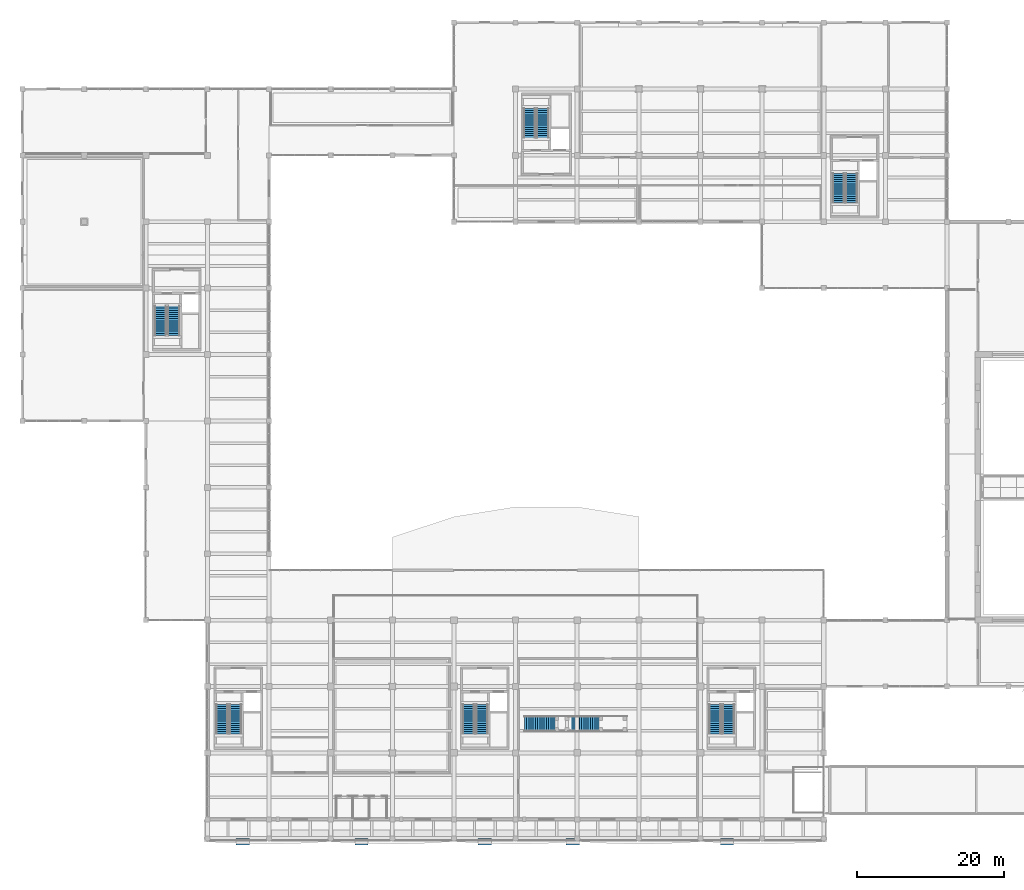
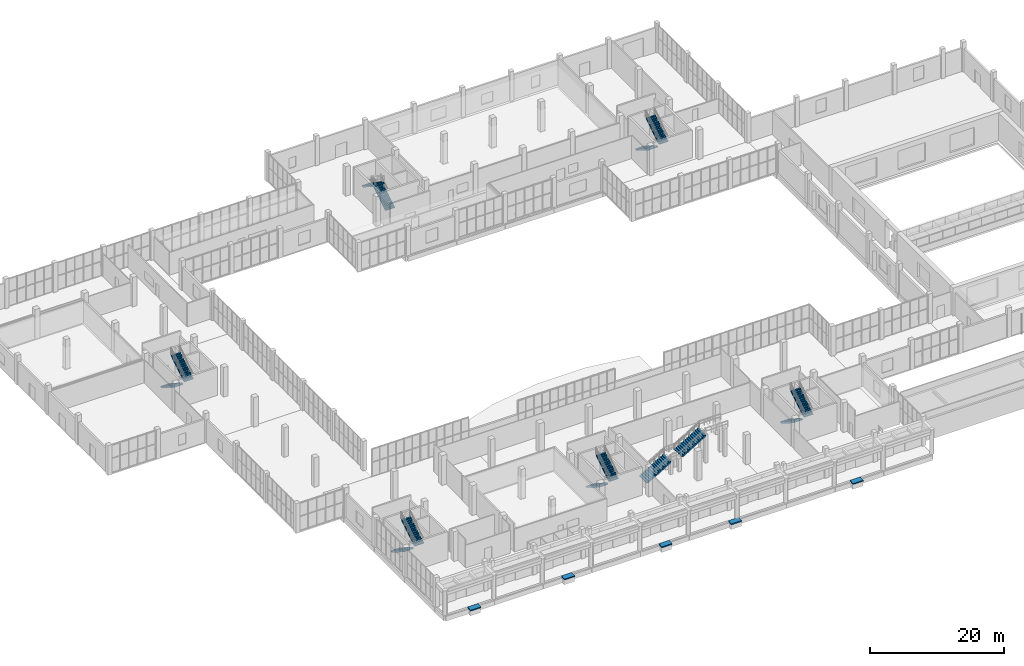
# One storey, part 85 of 91: 14 stair flights, 5 ramp flights, 12 elements without a shape of their own.
"""IFC4 building model written with IfcOpenShell, lengths in metres."""

from ifc_helpers import new_model, si_unit, direction, frame, origin, place, context, subcontext, project, spatial, polyline, outline, extrude, material, layer, layer_set, type_object, element, aggregate, save


model = new_model("IFC4")

# Units and contexts
model_context = context("Model", 3, precision=1e-05, world=origin(), true_north=direction((0.0, 1.0)))
body_context = subcontext(model_context, "Body", "Model", "MODEL_VIEW")
ifc_project = project(units=[si_unit("LENGTHUNIT", "METRE"), si_unit("AREAUNIT", "SQUARE_METRE"), si_unit("VOLUMEUNIT", "CUBIC_METRE"), si_unit("PLANEANGLEUNIT", "RADIAN"), si_unit("MASSUNIT", "GRAM", prefix="KILO")], contexts=[model_context])

# Site, building, storey
site_placement = place(None, origin())
site = spatial("IfcSite", under=ifc_project, at=site_placement, CompositionType="ELEMENT")
building_placement = place(site_placement, origin())
building = spatial("IfcBuilding", under=site, at=building_placement, Name="Khurvash Pelagic Aquarium", CompositionType="ELEMENT")
storey_placement = place(building_placement, origin())
storey = spatial("IfcBuildingStorey", under=building, at=storey_placement, Name="L00", CompositionType="ELEMENT", Elevation=0.0)

# Stair, stair flights
ifc_material = material(Name="Concrete C35/45", Category="concrete")
stair_type_1 = type_object("IfcStairType", Name="ST-01", PredefinedType="HALF_TURN_STAIR", material=ifc_material)
stair_1_placement = place(storey_placement, origin())
stair_1 = element("IfcStair", 1, at=stair_1_placement, inside=storey, type_object=stair_type_1, Name="L00 Protected Exit Stair ST-01", PredefinedType="HALF_TURN_STAIR")
stair_flight_type_1 = type_object("IfcStairFlightType", Name="SF-150", PredefinedType="STRAIGHT", material=ifc_material)
stair_flight_1_placement = place(storey_placement, frame((27.199951171875, 18.25, 0.0), z_axis=(0.0, 0.0, 1.0), x_axis=(0.0, -1.0, 0.0)))
stair_flight_1 = element("IfcStairFlight", 2, at=stair_flight_1_placement, type_object=stair_flight_type_1, Name="ST-01 flight 1", NumberOfRisers=15, NumberOfTreads=14, PredefinedType="STRAIGHT", RiserHeight=0.18, TreadLength=0.285, context=body_context, shape_type="SweptSolid", body=[
    extrude(outline(polyline([(0.0, 0.0), (0.0, 0.179931640625), (0.284912109375, 0.179931640625), (0.284912109375, 0.360107421875), (0.570068359375, 0.360107421875), (0.570068359375, 0.5400390625), (0.85498046875, 0.5400390625), (0.85498046875, 0.719970703125), (1.139892578125, 0.719970703125), (1.139892578125, 0.89990234375), (1.425048828125, 0.89990234375), (1.425048828125, 1.080078125), (1.7099609375, 1.080078125), (1.7099609375, 1.260009765625), (1.9951171875, 1.260009765625), (1.9951171875, 1.43994140625), (2.280029296875, 1.43994140625), (2.280029296875, 1.6201171875), (2.56494140625, 1.6201171875), (2.56494140625, 1.800048828125), (2.85009765625, 1.800048828125), (2.85009765625, 1.97998046875), (3.135009765625, 1.97998046875), (3.135009765625, 2.159912109375), (3.419921875, 2.159912109375), (3.419921875, 2.340087890625), (3.705078125, 2.340087890625), (3.705078125, 2.52001953125), (3.989990234375, 2.52001953125), (3.989990234375, 2.699951171875), (3.989990234375, 2.30712890625), (0.3369140625, 0.0), (0.0, 0.0)])), frame((0.0, 0.800048828125, 0.0), z_axis=(0.0, -1.0, 0.0), x_axis=(1.0, 0.0, 0.0)), (0.0, 0.0, 1.0), 1.60009765625),
])
stair_flight_2_placement = place(storey_placement, frame((29.0, 14.260009765625, 2.699951171875), z_axis=(0.0, 0.0, 1.0), x_axis=(0.0, 1.0, 0.0)))
stair_flight_2 = element("IfcStairFlight", 3, at=stair_flight_2_placement, type_object=stair_flight_type_1, Name="ST-01 flight 2", NumberOfRisers=15, NumberOfTreads=14, PredefinedType="STRAIGHT", RiserHeight=0.18, TreadLength=0.285, context=body_context, shape_type="SweptSolid", body=[
    extrude(outline(polyline([(0.0, 0.0), (0.0, 0.179931640625), (0.284912109375, 0.179931640625), (0.284912109375, 0.360107421875), (0.570068359375, 0.360107421875), (0.570068359375, 0.5400390625), (0.85498046875, 0.5400390625), (0.85498046875, 0.719970703125), (1.139892578125, 0.719970703125), (1.139892578125, 0.89990234375), (1.425048828125, 0.89990234375), (1.425048828125, 1.080078125), (1.7099609375, 1.080078125), (1.7099609375, 1.260009765625), (1.9951171875, 1.260009765625), (1.9951171875, 1.43994140625), (2.280029296875, 1.43994140625), (2.280029296875, 1.6201171875), (2.56494140625, 1.6201171875), (2.56494140625, 1.800048828125), (2.85009765625, 1.800048828125), (2.85009765625, 1.97998046875), (3.135009765625, 1.97998046875), (3.135009765625, 2.159912109375), (3.419921875, 2.159912109375), (3.419921875, 2.340087890625), (3.705078125, 2.340087890625), (3.705078125, 2.52001953125), (3.989990234375, 2.52001953125), (3.989990234375, 2.699951171875), (3.989990234375, 2.30712890625), (0.3369140625, 0.0), (0.0, 0.0)])), frame((0.0, 0.800048828125, 0.0), z_axis=(0.0, -1.0, 0.0), x_axis=(1.0, 0.0, 0.0)), (0.0, 0.0, 1.0), 1.60009765625),
])
aggregate(stair_1, [stair_flight_1, stair_flight_2])

stair_type_2 = type_object("IfcStairType", Name="ST-02", PredefinedType="HALF_TURN_STAIR", material=ifc_material)
stair_2_placement = place(storey_placement, origin())
stair_2 = element("IfcStair", 4, at=stair_2_placement, inside=storey, type_object=stair_type_2, Name="L00 Protected Exit Stair ST-02", PredefinedType="HALF_TURN_STAIR")
stair_flight_3_placement = place(storey_placement, frame((60.800048828125, 18.25, 0.0), z_axis=(0.0, 0.0, 1.0), x_axis=(0.0, -1.0, 0.0)))
stair_flight_3 = element("IfcStairFlight", 5, at=stair_flight_3_placement, type_object=stair_flight_type_1, Name="ST-02 flight 1", NumberOfRisers=15, NumberOfTreads=14, PredefinedType="STRAIGHT", RiserHeight=0.18, TreadLength=0.285, context=body_context, shape_type="SweptSolid", body=[
    extrude(outline(polyline([(0.0, 0.0), (0.0, 0.179931640625), (0.284912109375, 0.179931640625), (0.284912109375, 0.360107421875), (0.570068359375, 0.360107421875), (0.570068359375, 0.5400390625), (0.85498046875, 0.5400390625), (0.85498046875, 0.719970703125), (1.139892578125, 0.719970703125), (1.139892578125, 0.89990234375), (1.425048828125, 0.89990234375), (1.425048828125, 1.080078125), (1.7099609375, 1.080078125), (1.7099609375, 1.260009765625), (1.9951171875, 1.260009765625), (1.9951171875, 1.43994140625), (2.280029296875, 1.43994140625), (2.280029296875, 1.6201171875), (2.56494140625, 1.6201171875), (2.56494140625, 1.800048828125), (2.85009765625, 1.800048828125), (2.85009765625, 1.97998046875), (3.135009765625, 1.97998046875), (3.135009765625, 2.159912109375), (3.419921875, 2.159912109375), (3.419921875, 2.340087890625), (3.705078125, 2.340087890625), (3.705078125, 2.52001953125), (3.989990234375, 2.52001953125), (3.989990234375, 2.699951171875), (3.989990234375, 2.30712890625), (0.3369140625, 0.0), (0.0, 0.0)])), frame((0.0, 0.800048828125, 0.0), z_axis=(0.0, -1.0, 0.0), x_axis=(1.0, 0.0, 0.0)), (0.0, 0.0, 1.0), 1.60009765625),
])
stair_flight_4_placement = place(storey_placement, frame((62.60009765625, 14.260009765625, 2.699951171875), z_axis=(0.0, 0.0, 1.0), x_axis=(0.0, 1.0, 0.0)))
stair_flight_4 = element("IfcStairFlight", 6, at=stair_flight_4_placement, type_object=stair_flight_type_1, Name="ST-02 flight 2", NumberOfRisers=15, NumberOfTreads=14, PredefinedType="STRAIGHT", RiserHeight=0.18, TreadLength=0.285, context=body_context, shape_type="SweptSolid", body=[
    extrude(outline(polyline([(0.0, 0.0), (0.0, 0.179931640625), (0.284912109375, 0.179931640625), (0.284912109375, 0.360107421875), (0.570068359375, 0.360107421875), (0.570068359375, 0.5400390625), (0.85498046875, 0.5400390625), (0.85498046875, 0.719970703125), (1.139892578125, 0.719970703125), (1.139892578125, 0.89990234375), (1.425048828125, 0.89990234375), (1.425048828125, 1.080078125), (1.7099609375, 1.080078125), (1.7099609375, 1.260009765625), (1.9951171875, 1.260009765625), (1.9951171875, 1.43994140625), (2.280029296875, 1.43994140625), (2.280029296875, 1.6201171875), (2.56494140625, 1.6201171875), (2.56494140625, 1.800048828125), (2.85009765625, 1.800048828125), (2.85009765625, 1.97998046875), (3.135009765625, 1.97998046875), (3.135009765625, 2.159912109375), (3.419921875, 2.159912109375), (3.419921875, 2.340087890625), (3.705078125, 2.340087890625), (3.705078125, 2.52001953125), (3.989990234375, 2.52001953125), (3.989990234375, 2.699951171875), (3.989990234375, 2.30712890625), (0.3369140625, 0.0), (0.0, 0.0)])), frame((0.0, 0.800048828125, 0.0), z_axis=(0.0, -1.0, 0.0), x_axis=(1.0, 0.0, 0.0)), (0.0, 0.0, 1.0), 1.60009765625),
])
aggregate(stair_2, [stair_flight_3, stair_flight_4])

stair_type_3 = type_object("IfcStairType", Name="ST-03", PredefinedType="HALF_TURN_STAIR", material=ifc_material)
stair_3_placement = place(storey_placement, origin())
stair_3 = element("IfcStair", 7, at=stair_3_placement, inside=storey, type_object=stair_type_3, Name="L00 Protected Exit Stair ST-03", PredefinedType="HALF_TURN_STAIR")
stair_flight_5_placement = place(storey_placement, frame((94.39990234375, 18.25, 0.0), z_axis=(0.0, 0.0, 1.0), x_axis=(0.0, -1.0, 0.0)))
stair_flight_5 = element("IfcStairFlight", 8, at=stair_flight_5_placement, type_object=stair_flight_type_1, Name="ST-03 flight 1", NumberOfRisers=15, NumberOfTreads=14, PredefinedType="STRAIGHT", RiserHeight=0.18, TreadLength=0.285, context=body_context, shape_type="SweptSolid", body=[
    extrude(outline(polyline([(0.0, 0.0), (0.0, 0.179931640625), (0.284912109375, 0.179931640625), (0.284912109375, 0.360107421875), (0.570068359375, 0.360107421875), (0.570068359375, 0.5400390625), (0.85498046875, 0.5400390625), (0.85498046875, 0.719970703125), (1.139892578125, 0.719970703125), (1.139892578125, 0.89990234375), (1.425048828125, 0.89990234375), (1.425048828125, 1.080078125), (1.7099609375, 1.080078125), (1.7099609375, 1.260009765625), (1.9951171875, 1.260009765625), (1.9951171875, 1.43994140625), (2.280029296875, 1.43994140625), (2.280029296875, 1.6201171875), (2.56494140625, 1.6201171875), (2.56494140625, 1.800048828125), (2.85009765625, 1.800048828125), (2.85009765625, 1.97998046875), (3.135009765625, 1.97998046875), (3.135009765625, 2.159912109375), (3.419921875, 2.159912109375), (3.419921875, 2.340087890625), (3.705078125, 2.340087890625), (3.705078125, 2.52001953125), (3.989990234375, 2.52001953125), (3.989990234375, 2.699951171875), (3.989990234375, 2.30712890625), (0.3369140625, 0.0), (0.0, 0.0)])), frame((0.0, 0.800048828125, 0.0), z_axis=(0.0, -1.0, 0.0), x_axis=(1.0, 0.0, 0.0)), (0.0, 0.0, 1.0), 1.60009765625),
])
stair_flight_6_placement = place(storey_placement, frame((96.199951171875, 14.260009765625, 2.699951171875), z_axis=(0.0, 0.0, 1.0), x_axis=(0.0, 1.0, 0.0)))
stair_flight_6 = element("IfcStairFlight", 9, at=stair_flight_6_placement, type_object=stair_flight_type_1, Name="ST-03 flight 2", NumberOfRisers=15, NumberOfTreads=14, PredefinedType="STRAIGHT", RiserHeight=0.18, TreadLength=0.285, context=body_context, shape_type="SweptSolid", body=[
    extrude(outline(polyline([(0.0, 0.0), (0.0, 0.179931640625), (0.284912109375, 0.179931640625), (0.284912109375, 0.360107421875), (0.570068359375, 0.360107421875), (0.570068359375, 0.5400390625), (0.85498046875, 0.5400390625), (0.85498046875, 0.719970703125), (1.139892578125, 0.719970703125), (1.139892578125, 0.89990234375), (1.425048828125, 0.89990234375), (1.425048828125, 1.080078125), (1.7099609375, 1.080078125), (1.7099609375, 1.260009765625), (1.9951171875, 1.260009765625), (1.9951171875, 1.43994140625), (2.280029296875, 1.43994140625), (2.280029296875, 1.6201171875), (2.56494140625, 1.6201171875), (2.56494140625, 1.800048828125), (2.85009765625, 1.800048828125), (2.85009765625, 1.97998046875), (3.135009765625, 1.97998046875), (3.135009765625, 2.159912109375), (3.419921875, 2.159912109375), (3.419921875, 2.340087890625), (3.705078125, 2.340087890625), (3.705078125, 2.52001953125), (3.989990234375, 2.52001953125), (3.989990234375, 2.699951171875), (3.989990234375, 2.30712890625), (0.3369140625, 0.0), (0.0, 0.0)])), frame((0.0, 0.800048828125, 0.0), z_axis=(0.0, -1.0, 0.0), x_axis=(1.0, 0.0, 0.0)), (0.0, 0.0, 1.0), 1.60009765625),
])
aggregate(stair_3, [stair_flight_5, stair_flight_6])

stair_type_4 = type_object("IfcStairType", Name="ST-04", PredefinedType="HALF_TURN_STAIR", material=ifc_material)
stair_4_placement = place(storey_placement, origin())
stair_4 = element("IfcStair", 10, at=stair_4_placement, inside=storey, type_object=stair_type_4, Name="L00 Protected Exit Stair ST-04", PredefinedType="HALF_TURN_STAIR")
stair_flight_7_placement = place(storey_placement, frame((70.89990234375, 95.5, 0.0), z_axis=(0.0, 0.0, 1.0), x_axis=(0.0, 1.0, 0.0)))
stair_flight_7 = element("IfcStairFlight", 11, at=stair_flight_7_placement, type_object=stair_flight_type_1, Name="ST-04 flight 1", NumberOfRisers=15, NumberOfTreads=14, PredefinedType="STRAIGHT", RiserHeight=0.18, TreadLength=0.285, context=body_context, shape_type="SweptSolid", body=[
    extrude(outline(polyline([(0.0, 0.0), (0.0, 0.179931640625), (0.284912109375, 0.179931640625), (0.284912109375, 0.360107421875), (0.570068359375, 0.360107421875), (0.570068359375, 0.5400390625), (0.85498046875, 0.5400390625), (0.85498046875, 0.719970703125), (1.139892578125, 0.719970703125), (1.139892578125, 0.89990234375), (1.425048828125, 0.89990234375), (1.425048828125, 1.080078125), (1.7099609375, 1.080078125), (1.7099609375, 1.260009765625), (1.9951171875, 1.260009765625), (1.9951171875, 1.43994140625), (2.280029296875, 1.43994140625), (2.280029296875, 1.6201171875), (2.56494140625, 1.6201171875), (2.56494140625, 1.800048828125), (2.85009765625, 1.800048828125), (2.85009765625, 1.97998046875), (3.135009765625, 1.97998046875), (3.135009765625, 2.159912109375), (3.419921875, 2.159912109375), (3.419921875, 2.340087890625), (3.705078125, 2.340087890625), (3.705078125, 2.52001953125), (3.989990234375, 2.52001953125), (3.989990234375, 2.699951171875), (3.989990234375, 2.30712890625), (0.3369140625, 0.0), (0.0, 0.0)])), frame((0.0, 0.800048828125, 0.0), z_axis=(0.0, -1.0, 0.0), x_axis=(1.0, 0.0, 0.0)), (0.0, 0.0, 1.0), 1.60009765625),
])
stair_flight_8_placement = place(storey_placement, frame((69.10009765625, 99.489990234375, 2.699951171875), z_axis=(0.0, 0.0, 1.0), x_axis=(0.0, -1.0, 0.0)))
stair_flight_8 = element("IfcStairFlight", 12, at=stair_flight_8_placement, type_object=stair_flight_type_1, Name="ST-04 flight 2", NumberOfRisers=15, NumberOfTreads=14, PredefinedType="STRAIGHT", RiserHeight=0.18, TreadLength=0.285, context=body_context, shape_type="SweptSolid", body=[
    extrude(outline(polyline([(0.0, 0.0), (0.0, 0.179931640625), (0.284912109375, 0.179931640625), (0.284912109375, 0.360107421875), (0.570068359375, 0.360107421875), (0.570068359375, 0.5400390625), (0.85498046875, 0.5400390625), (0.85498046875, 0.719970703125), (1.139892578125, 0.719970703125), (1.139892578125, 0.89990234375), (1.425048828125, 0.89990234375), (1.425048828125, 1.080078125), (1.7099609375, 1.080078125), (1.7099609375, 1.260009765625), (1.9951171875, 1.260009765625), (1.9951171875, 1.43994140625), (2.280029296875, 1.43994140625), (2.280029296875, 1.6201171875), (2.56494140625, 1.6201171875), (2.56494140625, 1.800048828125), (2.85009765625, 1.800048828125), (2.85009765625, 1.97998046875), (3.135009765625, 1.97998046875), (3.135009765625, 2.159912109375), (3.419921875, 2.159912109375), (3.419921875, 2.340087890625), (3.705078125, 2.340087890625), (3.705078125, 2.52001953125), (3.989990234375, 2.52001953125), (3.989990234375, 2.699951171875), (3.989990234375, 2.30712890625), (0.3369140625, 0.0), (0.0, 0.0)])), frame((0.0, 0.800048828125, 0.0), z_axis=(0.0, -1.0, 0.0), x_axis=(1.0, 0.0, 0.0)), (0.0, 0.0, 1.0), 1.60009765625),
])
aggregate(stair_4, [stair_flight_7, stair_flight_8])

stair_type_5 = type_object("IfcStairType", Name="ST-05", PredefinedType="HALF_TURN_STAIR", material=ifc_material)
stair_5_placement = place(storey_placement, origin())
stair_5 = element("IfcStair", 13, at=stair_5_placement, inside=storey, type_object=stair_type_5, Name="L00 Protected Exit Stair ST-05", PredefinedType="HALF_TURN_STAIR")
stair_flight_9_placement = place(storey_placement, frame((18.800048828125, 72.550048828125, 0.0), z_axis=(0.0, 0.0, 1.0), x_axis=(0.0, -1.0, 0.0)))
stair_flight_9 = element("IfcStairFlight", 14, at=stair_flight_9_placement, type_object=stair_flight_type_1, Name="ST-05 flight 1", NumberOfRisers=15, NumberOfTreads=14, PredefinedType="STRAIGHT", RiserHeight=0.18, TreadLength=0.285, context=body_context, shape_type="SweptSolid", body=[
    extrude(outline(polyline([(0.0, 0.0), (0.0, 0.179931640625), (0.284912109375, 0.179931640625), (0.284912109375, 0.360107421875), (0.570068359375, 0.360107421875), (0.570068359375, 0.5400390625), (0.85498046875, 0.5400390625), (0.85498046875, 0.719970703125), (1.139892578125, 0.719970703125), (1.139892578125, 0.89990234375), (1.425048828125, 0.89990234375), (1.425048828125, 1.080078125), (1.7099609375, 1.080078125), (1.7099609375, 1.260009765625), (1.9951171875, 1.260009765625), (1.9951171875, 1.43994140625), (2.280029296875, 1.43994140625), (2.280029296875, 1.6201171875), (2.56494140625, 1.6201171875), (2.56494140625, 1.800048828125), (2.85009765625, 1.800048828125), (2.85009765625, 1.97998046875), (3.135009765625, 1.97998046875), (3.135009765625, 2.159912109375), (3.419921875, 2.159912109375), (3.419921875, 2.340087890625), (3.705078125, 2.340087890625), (3.705078125, 2.52001953125), (3.989990234375, 2.52001953125), (3.989990234375, 2.699951171875), (3.989990234375, 2.30712890625), (0.3369140625, 0.0), (0.0, 0.0)])), frame((0.0, 0.800048828125, 0.0), z_axis=(0.0, -1.0, 0.0), x_axis=(1.0, 0.0, 0.0)), (0.0, 0.0, 1.0), 1.60009765625),
])
stair_flight_10_placement = place(storey_placement, frame((20.60009765625, 68.56005859375, 2.699951171875), z_axis=(0.0, 0.0, 1.0), x_axis=(0.0, 1.0, 0.0)))
stair_flight_10 = element("IfcStairFlight", 15, at=stair_flight_10_placement, type_object=stair_flight_type_1, Name="ST-05 flight 2", NumberOfRisers=15, NumberOfTreads=14, PredefinedType="STRAIGHT", RiserHeight=0.18, TreadLength=0.285, context=body_context, shape_type="SweptSolid", body=[
    extrude(outline(polyline([(0.0, 0.0), (0.0, 0.179931640625), (0.284912109375, 0.179931640625), (0.284912109375, 0.360107421875), (0.570068359375, 0.360107421875), (0.570068359375, 0.5400390625), (0.85498046875, 0.5400390625), (0.85498046875, 0.719970703125), (1.139892578125, 0.719970703125), (1.139892578125, 0.89990234375), (1.425048828125, 0.89990234375), (1.425048828125, 1.080078125), (1.7099609375, 1.080078125), (1.7099609375, 1.260009765625), (1.9951171875, 1.260009765625), (1.9951171875, 1.43994140625), (2.280029296875, 1.43994140625), (2.280029296875, 1.6201171875), (2.56494140625, 1.6201171875), (2.56494140625, 1.800048828125), (2.85009765625, 1.800048828125), (2.85009765625, 1.97998046875), (3.135009765625, 1.97998046875), (3.135009765625, 2.159912109375), (3.419921875, 2.159912109375), (3.419921875, 2.340087890625), (3.705078125, 2.340087890625), (3.705078125, 2.52001953125), (3.989990234375, 2.52001953125), (3.989990234375, 2.699951171875), (3.989990234375, 2.30712890625), (0.3369140625, 0.0), (0.0, 0.0)])), frame((0.0, 0.800048828125, 0.0), z_axis=(0.0, -1.0, 0.0), x_axis=(1.0, 0.0, 0.0)), (0.0, 0.0, 1.0), 1.60009765625),
])
aggregate(stair_5, [stair_flight_9, stair_flight_10])

stair_type_6 = type_object("IfcStairType", Name="ST-06", PredefinedType="HALF_TURN_STAIR", material=ifc_material)
stair_6_placement = place(storey_placement, origin())
stair_6 = element("IfcStair", 16, at=stair_6_placement, inside=storey, type_object=stair_type_6, Name="L00 Protected Exit Stair ST-06", PredefinedType="HALF_TURN_STAIR")
stair_flight_11_placement = place(storey_placement, frame((111.199951171875, 90.64990234375, 0.0), z_axis=(0.0, 0.0, 1.0), x_axis=(0.0, -1.0, 0.0)))
stair_flight_11 = element("IfcStairFlight", 17, at=stair_flight_11_placement, type_object=stair_flight_type_1, Name="ST-06 flight 1", NumberOfRisers=15, NumberOfTreads=14, PredefinedType="STRAIGHT", RiserHeight=0.18, TreadLength=0.285, context=body_context, shape_type="SweptSolid", body=[
    extrude(outline(polyline([(0.0, 0.0), (0.0, 0.179931640625), (0.284912109375, 0.179931640625), (0.284912109375, 0.360107421875), (0.570068359375, 0.360107421875), (0.570068359375, 0.5400390625), (0.85498046875, 0.5400390625), (0.85498046875, 0.719970703125), (1.139892578125, 0.719970703125), (1.139892578125, 0.89990234375), (1.425048828125, 0.89990234375), (1.425048828125, 1.080078125), (1.7099609375, 1.080078125), (1.7099609375, 1.260009765625), (1.9951171875, 1.260009765625), (1.9951171875, 1.43994140625), (2.280029296875, 1.43994140625), (2.280029296875, 1.6201171875), (2.56494140625, 1.6201171875), (2.56494140625, 1.800048828125), (2.85009765625, 1.800048828125), (2.85009765625, 1.97998046875), (3.135009765625, 1.97998046875), (3.135009765625, 2.159912109375), (3.419921875, 2.159912109375), (3.419921875, 2.340087890625), (3.705078125, 2.340087890625), (3.705078125, 2.52001953125), (3.989990234375, 2.52001953125), (3.989990234375, 2.699951171875), (3.989990234375, 2.30712890625), (0.3369140625, 0.0), (0.0, 0.0)])), frame((0.0, 0.800048828125, 0.0), z_axis=(0.0, -1.0, 0.0), x_axis=(1.0, 0.0, 0.0)), (0.0, 0.0, 1.0), 1.60009765625),
])
stair_flight_12_placement = place(storey_placement, frame((113.0, 86.659912109375, 2.699951171875), z_axis=(0.0, 0.0, 1.0), x_axis=(0.0, 1.0, 0.0)))
stair_flight_12 = element("IfcStairFlight", 18, at=stair_flight_12_placement, type_object=stair_flight_type_1, Name="ST-06 flight 2", NumberOfRisers=15, NumberOfTreads=14, PredefinedType="STRAIGHT", RiserHeight=0.18, TreadLength=0.285, context=body_context, shape_type="SweptSolid", body=[
    extrude(outline(polyline([(0.0, 0.0), (0.0, 0.179931640625), (0.284912109375, 0.179931640625), (0.284912109375, 0.360107421875), (0.570068359375, 0.360107421875), (0.570068359375, 0.5400390625), (0.85498046875, 0.5400390625), (0.85498046875, 0.719970703125), (1.139892578125, 0.719970703125), (1.139892578125, 0.89990234375), (1.425048828125, 0.89990234375), (1.425048828125, 1.080078125), (1.7099609375, 1.080078125), (1.7099609375, 1.260009765625), (1.9951171875, 1.260009765625), (1.9951171875, 1.43994140625), (2.280029296875, 1.43994140625), (2.280029296875, 1.6201171875), (2.56494140625, 1.6201171875), (2.56494140625, 1.800048828125), (2.85009765625, 1.800048828125), (2.85009765625, 1.97998046875), (3.135009765625, 1.97998046875), (3.135009765625, 2.159912109375), (3.419921875, 2.159912109375), (3.419921875, 2.340087890625), (3.705078125, 2.340087890625), (3.705078125, 2.52001953125), (3.989990234375, 2.52001953125), (3.989990234375, 2.699951171875), (3.989990234375, 2.30712890625), (0.3369140625, 0.0), (0.0, 0.0)])), frame((0.0, 0.800048828125, 0.0), z_axis=(0.0, -1.0, 0.0), x_axis=(1.0, 0.0, 0.0)), (0.0, 0.0, 1.0), 1.60009765625),
])
aggregate(stair_6, [stair_flight_11, stair_flight_12])

stair_type_7 = type_object("IfcStairType", Name="ST-07", PredefinedType="STRAIGHT_RUN_STAIR", material=ifc_material)
stair_7_placement = place(storey_placement, origin())
stair_7 = element("IfcStair", 19, at=stair_7_placement, inside=storey, type_object=stair_type_7, Name="L00 Grand Sehan Foyer Feature Stair ST-07", PredefinedType="STRAIGHT_RUN_STAIR")
stair_flight_type_2 = type_object("IfcStairFlightType", Name="SF-180", PredefinedType="STRAIGHT", material=ifc_material)
stair_flight_13_placement = place(storey_placement, frame((68.39990234375, 15.60009765625, 0.0), z_axis=(0.0, 0.0, 1.0), x_axis=(1.0, 0.0, 0.0)))
stair_flight_13 = element("IfcStairFlight", 20, at=stair_flight_13_placement, type_object=stair_flight_type_2, Name="ST-07 flight 1", NumberOfRisers=15, NumberOfTreads=14, PredefinedType="STRAIGHT", RiserHeight=0.18, TreadLength=0.3, context=body_context, shape_type="SweptSolid", body=[
    extrude(outline(polyline([(0.0, 0.0), (0.0, 0.179931640625), (0.300048828125, 0.179931640625), (0.300048828125, 0.360107421875), (0.60009765625, 0.360107421875), (0.60009765625, 0.5400390625), (0.89990234375, 0.5400390625), (0.89990234375, 0.719970703125), (1.199951171875, 0.719970703125), (1.199951171875, 0.89990234375), (1.5, 0.89990234375), (1.5, 1.080078125), (1.800048828125, 1.080078125), (1.800048828125, 1.260009765625), (2.10009765625, 1.260009765625), (2.10009765625, 1.43994140625), (2.39990234375, 1.43994140625), (2.39990234375, 1.6201171875), (2.699951171875, 1.6201171875), (2.699951171875, 1.800048828125), (3.0, 1.800048828125), (3.0, 1.97998046875), (3.300048828125, 1.97998046875), (3.300048828125, 2.159912109375), (3.60009765625, 2.159912109375), (3.60009765625, 2.340087890625), (3.89990234375, 2.340087890625), (3.89990234375, 2.52001953125), (4.199951171875, 2.52001953125), (4.199951171875, 2.699951171875), (4.199951171875, 2.286865234375), (0.388671875, 0.0), (0.0, 0.0)])), frame((0.0, 1.10009765625, 0.0), z_axis=(0.0, -1.0, 0.0), x_axis=(1.0, 0.0, 0.0)), (0.0, 0.0, 1.0), 2.199951171875),
])
stair_flight_14_placement = place(storey_placement, frame((74.39990234375, 15.60009765625, 2.699951171875), z_axis=(0.0, 0.0, 1.0), x_axis=(1.0, 0.0, 0.0)))
stair_flight_14 = element("IfcStairFlight", 21, at=stair_flight_14_placement, type_object=stair_flight_type_2, Name="ST-07 flight 2", NumberOfRisers=15, NumberOfTreads=14, PredefinedType="STRAIGHT", RiserHeight=0.18, TreadLength=0.3, context=body_context, shape_type="SweptSolid", body=[
    extrude(outline(polyline([(0.0, 0.0), (0.0, 0.179931640625), (0.300048828125, 0.179931640625), (0.300048828125, 0.360107421875), (0.60009765625, 0.360107421875), (0.60009765625, 0.5400390625), (0.89990234375, 0.5400390625), (0.89990234375, 0.719970703125), (1.199951171875, 0.719970703125), (1.199951171875, 0.89990234375), (1.5, 0.89990234375), (1.5, 1.080078125), (1.800048828125, 1.080078125), (1.800048828125, 1.260009765625), (2.10009765625, 1.260009765625), (2.10009765625, 1.43994140625), (2.39990234375, 1.43994140625), (2.39990234375, 1.6201171875), (2.699951171875, 1.6201171875), (2.699951171875, 1.800048828125), (3.0, 1.800048828125), (3.0, 1.97998046875), (3.300048828125, 1.97998046875), (3.300048828125, 2.159912109375), (3.60009765625, 2.159912109375), (3.60009765625, 2.340087890625), (3.89990234375, 2.340087890625), (3.89990234375, 2.52001953125), (4.199951171875, 2.52001953125), (4.199951171875, 2.699951171875), (4.199951171875, 2.286865234375), (0.388671875, 0.0), (0.0, 0.0)])), frame((0.0, 1.10009765625, 0.0), z_axis=(0.0, -1.0, 0.0), x_axis=(1.0, 0.0, 0.0)), (0.0, 0.0, 1.0), 2.199951171875),
])
aggregate(stair_7, [stair_flight_13, stair_flight_14])

# Ramp, ramp flight
ramp_type = type_object("IfcRampType", Name="RMP-PED", PredefinedType="STRAIGHT_RUN_RAMP", material=ifc_material)
ramp_1_placement = place(storey_placement, origin())
ramp_1 = element("IfcRamp", 22, at=ramp_1_placement, inside=storey, type_object=ramp_type, Name="L00 Boulevard West Arcade Accessible Ramp R-PED-01", PredefinedType="STRAIGHT_RUN_RAMP")
ifc_layer = layer(ifc_material, 0.199951171875)
ifc_layer_set = layer_set([ifc_layer], Name="Concrete C35/45")
ramp_flight_type = type_object("IfcRampFlightType", Name="RMF-PED", PredefinedType="STRAIGHT", material=ifc_layer_set)
ramp_flight_1_placement = place(storey_placement, frame((30.0, -0.89990234375, -0.074951171875), z_axis=(0.0, 0.0, 1.0), x_axis=(0.0, 1.0, 0.0)))
ramp_flight_1 = element("IfcRampFlight", 23, at=ramp_flight_1_placement, type_object=ramp_flight_type, Name="L00 Boulevard West Arcade Accessible Ramp R-PED-01 flight 1", PredefinedType="STRAIGHT", context=body_context, shape_type="SweptSolid", body=[
    extrude(outline(polyline([(0.0, 0.0), (0.89990234375, 0.074951171875), (0.89990234375, -0.125), (0.0, -0.199951171875), (0.0, 0.0)])), frame((0.0, 0.89990234375, 0.0), z_axis=(0.0, -1.0, 0.0), x_axis=(1.0, 0.0, 0.0)), (0.0, 0.0, 1.0), 1.800048828125),
])
aggregate(ramp_1, [ramp_flight_1])

ramp_2_placement = place(storey_placement, origin())
ramp_2 = element("IfcRamp", 24, at=ramp_2_placement, inside=storey, type_object=ramp_type, Name="L00 Ticketing Concourse Accessible Ramp R-PED-02", PredefinedType="STRAIGHT_RUN_RAMP")
ramp_flight_2_placement = place(storey_placement, frame((46.199951171875, -0.89990234375, -0.074951171875), z_axis=(0.0, 0.0, 1.0), x_axis=(0.0, 1.0, 0.0)))
ramp_flight_2 = element("IfcRampFlight", 25, at=ramp_flight_2_placement, type_object=ramp_flight_type, Name="L00 Ticketing Concourse Accessible Ramp R-PED-02 flight 1", PredefinedType="STRAIGHT", context=body_context, shape_type="SweptSolid", body=[
    extrude(outline(polyline([(0.0, 0.0), (0.89990234375, 0.074951171875), (0.89990234375, -0.125), (0.0, -0.199951171875), (0.0, 0.0)])), frame((0.0, 0.89990234375, 0.0), z_axis=(0.0, -1.0, 0.0), x_axis=(1.0, 0.0, 0.0)), (0.0, 0.0, 1.0), 1.800048828125),
])
aggregate(ramp_2, [ramp_flight_2])

ramp_3_placement = place(storey_placement, origin())
ramp_3 = element("IfcRamp", 26, at=ramp_3_placement, inside=storey, type_object=ramp_type, Name="L00 Central Arcade Accessible Ramp R-PED-03", PredefinedType="STRAIGHT_RUN_RAMP")
ramp_flight_3_placement = place(storey_placement, frame((63.0, -0.89990234375, -0.074951171875), z_axis=(0.0, 0.0, 1.0), x_axis=(0.0, 1.0, 0.0)))
ramp_flight_3 = element("IfcRampFlight", 27, at=ramp_flight_3_placement, type_object=ramp_flight_type, Name="L00 Central Arcade Accessible Ramp R-PED-03 flight 1", PredefinedType="STRAIGHT", context=body_context, shape_type="SweptSolid", body=[
    extrude(outline(polyline([(0.0, 0.0), (0.89990234375, 0.074951171875), (0.89990234375, -0.125), (0.0, -0.199951171875), (0.0, 0.0)])), frame((0.0, 0.89990234375, 0.0), z_axis=(0.0, -1.0, 0.0), x_axis=(1.0, 0.0, 0.0)), (0.0, 0.0, 1.0), 1.800048828125),
])
aggregate(ramp_3, [ramp_flight_3])

ramp_4_placement = place(storey_placement, origin())
ramp_4 = element("IfcRamp", 28, at=ramp_4_placement, inside=storey, type_object=ramp_type, Name="L00 Grand Foyer Boulevard Accessible Ramp R-PED-04", PredefinedType="STRAIGHT_RUN_RAMP")
ramp_flight_4_placement = place(storey_placement, frame((75.0, -0.89990234375, -0.074951171875), z_axis=(0.0, 0.0, 1.0), x_axis=(0.0, 1.0, 0.0)))
ramp_flight_4 = element("IfcRampFlight", 29, at=ramp_flight_4_placement, type_object=ramp_flight_type, Name="L00 Grand Foyer Boulevard Accessible Ramp R-PED-04 flight 1", PredefinedType="STRAIGHT", context=body_context, shape_type="SweptSolid", body=[
    extrude(outline(polyline([(0.0, 0.0), (0.89990234375, 0.074951171875), (0.89990234375, -0.125), (0.0, -0.199951171875), (0.0, 0.0)])), frame((0.0, 0.89990234375, 0.0), z_axis=(0.0, -1.0, 0.0), x_axis=(1.0, 0.0, 0.0)), (0.0, 0.0, 1.0), 1.800048828125),
])
aggregate(ramp_4, [ramp_flight_4])

ramp_5_placement = place(storey_placement, origin())
ramp_5 = element("IfcRamp", 30, at=ramp_5_placement, inside=storey, type_object=ramp_type, Name="L00 Boulevard East Arcade Accessible Ramp R-PED-05", PredefinedType="STRAIGHT_RUN_RAMP")
ramp_flight_5_placement = place(storey_placement, frame((96.0, -0.89990234375, -0.074951171875), z_axis=(0.0, 0.0, 1.0), x_axis=(0.0, 1.0, 0.0)))
ramp_flight_5 = element("IfcRampFlight", 31, at=ramp_flight_5_placement, type_object=ramp_flight_type, Name="L00 Boulevard East Arcade Accessible Ramp R-PED-05 flight 1", PredefinedType="STRAIGHT", context=body_context, shape_type="SweptSolid", body=[
    extrude(outline(polyline([(0.0, 0.0), (0.89990234375, 0.074951171875), (0.89990234375, -0.125), (0.0, -0.199951171875), (0.0, 0.0)])), frame((0.0, 0.89990234375, 0.0), z_axis=(0.0, -1.0, 0.0), x_axis=(1.0, 0.0, 0.0)), (0.0, 0.0, 1.0), 1.800048828125),
])
aggregate(ramp_5, [ramp_flight_5])

save(model, "model.ifc")
